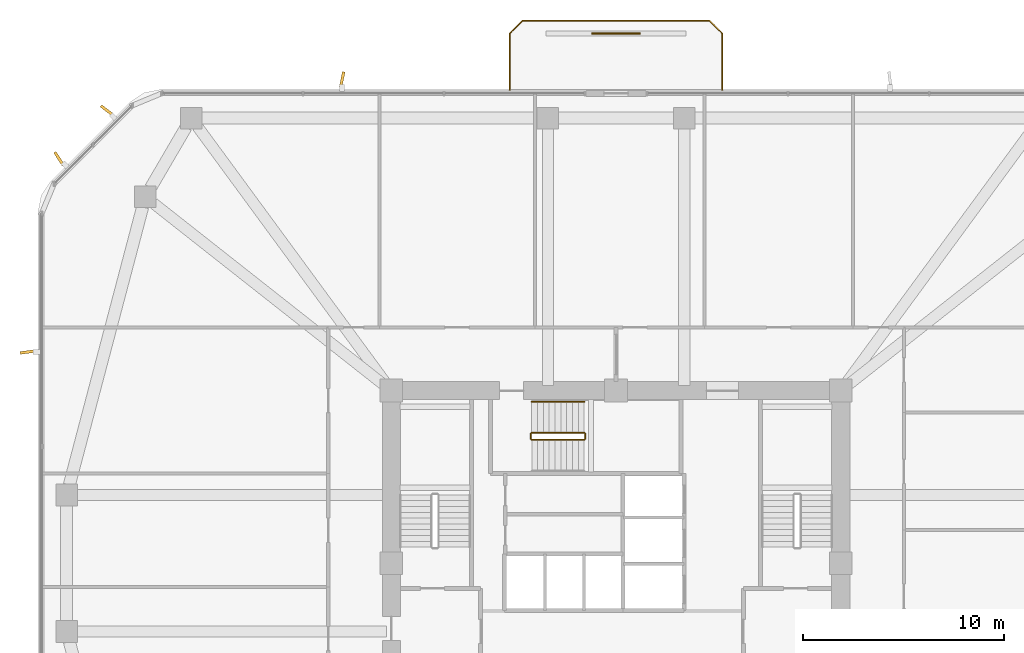
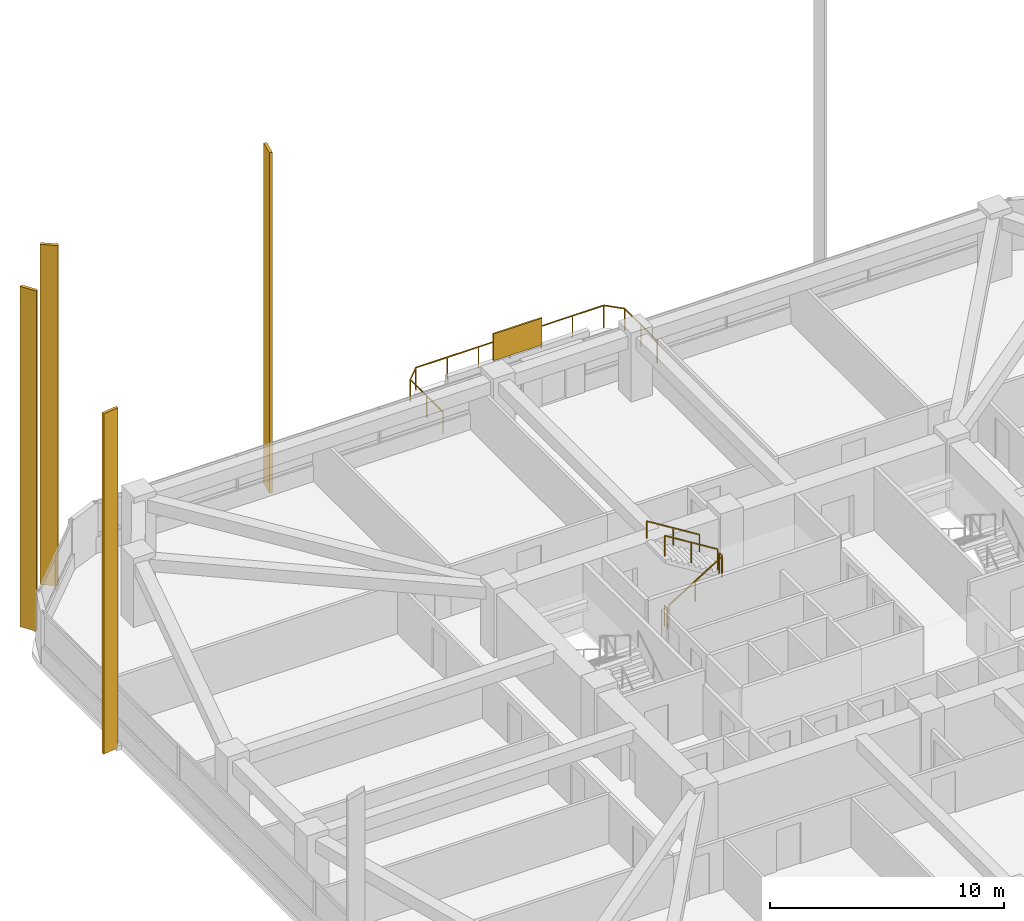
# One storey, part 16 of 17: 6 railings, 5 shading devices.
"""IFC4 building model written with IfcOpenShell, lengths in metres."""

from ifc_helpers import new_model, si_unit, derived_unit, direction, frame, origin, origin_2d, place, context, subcontext, project, spatial, rectangle, extrude, material, layer, layer_set, type_object, element, save


model = new_model("IFC4")

# Units and contexts
model_context = context("Model", 3, precision=1e-05, world=origin(), true_north=direction((0.0, 1.0)))
body_context = subcontext(model_context, "Body", "Model", "MODEL_VIEW")
ifc_project = project(units=[si_unit("LENGTHUNIT", "METRE"), si_unit("AREAUNIT", "SQUARE_METRE"), si_unit("VOLUMEUNIT", "CUBIC_METRE"), si_unit("PLANEANGLEUNIT", "RADIAN"), si_unit("MASSUNIT", "GRAM", prefix="KILO"), derived_unit("THERMALTRANSMITTANCEUNIT", [(si_unit("POWERUNIT", "WATT"), 1), (si_unit("LENGTHUNIT", "METRE"), -2), (si_unit("THERMODYNAMICTEMPERATUREUNIT", "KELVIN"), -1)])], contexts=[model_context])

# Site, building, storey
site_placement = place(None, origin())
site = spatial("IfcSite", under=ifc_project, at=site_placement, CompositionType="ELEMENT")
building_placement = place(site_placement, origin())
building = spatial("IfcBuilding", under=site, at=building_placement, Name="Koralith Skygarden Medical Center", CompositionType="ELEMENT")
storey_placement = place(building_placement, frame((0.0, 0.0, 67.139892578125)))
storey = spatial("IfcBuildingStorey", under=building, at=storey_placement, Name="L17", CompositionType="ELEMENT", Elevation=67.139892578125)

# Shading devices
ifc_material_1 = material(Name="Aluminium 6063-T6", Category="aluminium")
shading_device_type_1 = type_object("IfcShadingDeviceType", Name="Limestone-Clad Solar Storm Fin 780", PredefinedType="USERDEFINED", material=ifc_material_1)
for number, where, z_axis, x_axis, name in (
    (1, (23.35009765625, 50.010009765625, -0.199951171875), (0.0, 0.0, 1.0), (0.202240362568, 0.979335915684, 0.0), "L17 N Harmonic Solar Storm Fin 2"),
    (2, (11.637939453125, 48.4599609375, -0.199951171875), (0.0, 0.0, 1.0), (-0.795758957826, 0.605613474948, 0.0), "L17 NW Harmonic Solar Storm Fin 1"),
    (3, (9.239990234375, 46.06201171875, -0.199951171875), (0.0, 0.0, 1.0), (-0.549489535238, 0.835500598841, 0.0), "L17 NW Harmonic Solar Storm Fin 2"),
    (4, (7.68994140625, 36.429931640625, -0.199951171875), (0.0, 0.0, 1.0), (-0.990919950183, -0.134453160355, 0.0), "L17 W Harmonic Solar Storm Fin 1"),
):
    element("IfcShadingDevice", number, at=place(storey_placement, frame(where, z_axis=z_axis, x_axis=x_axis)), inside=storey, type_object=shading_device_type_1, Name=name, ObjectType="SOLAR FIN", PredefinedType="USERDEFINED", context=body_context, shape_type="SweptSolid", body=[
        extrude(rectangle(XDim=0.780029296875, YDim=0.139892578125, at=origin_2d()), origin(), (0.0, 0.0, 1.0), 17.7900390625),
    ])

# Railing
ifc_material_2 = material(Name="Steel ASTM A500 Grade C", Category="steel")
railing_type_1 = type_object("IfcRailingType", Name="Outdoor Terrace & Balcony Safety Guardrail 1180", PredefinedType="GUARDRAIL", material=ifc_material_2)
railing_1_placement = place(storey_placement, frame((42.300048828125, 49.5, 0.0)))
element("IfcRailing", 5, at=railing_1_placement, inside=storey, type_object=railing_type_1, Name="L17 N Balcony Perimeter Guardrail", PredefinedType="GUARDRAIL", context=body_context, shape_type="SweptSolid", body=[
    extrude(rectangle(XDim=0.050048828125, YDim=0.050048828125, at=origin_2d()), frame((0.0, 0.001953125, 1.15478515625), z_axis=(0.0, 1.0, 0.0), x_axis=(-1.0, 0.0, 0.0)), (0.0, 0.0, 1.0), 2.796142578125),
    extrude(rectangle(XDim=0.050048828125, YDim=0.050048828125, at=origin_2d()), frame((-0.00146484375, 2.801513671875, 1.15478515625), z_axis=(-0.707239558722, 0.706973978714, 0.0), x_axis=(-0.706973978714, -0.707239558722, 0.0)), (0.0, 0.0, 1.0), 0.915283203125),
    extrude(rectangle(XDim=0.050048828125, YDim=0.050048828125, at=origin_2d()), frame((-0.652099609375, 3.449951171875, 1.15478515625), z_axis=(-1.0, 0.0, 0.0), x_axis=(0.0, -1.0, 0.0)), (0.0, 0.0, 1.0), 9.2958984375),
    extrude(rectangle(XDim=0.050048828125, YDim=0.050048828125, at=origin_2d()), frame((-9.951416015625, 3.448486328125, 1.15478515625), z_axis=(-0.707239558722, -0.706973978714, 0.0), x_axis=(0.706973978714, -0.707239558722, 0.0)), (0.0, 0.0, 1.0), 0.915283203125),
    extrude(rectangle(XDim=0.050048828125, YDim=0.050048828125, at=origin_2d()), frame((-10.60009765625, 2.798095703125, 1.15478515625), z_axis=(0.0, -1.0, 0.0), x_axis=(1.0, 0.0, 0.0)), (0.0, 0.0, 1.0), 2.796142578125),
    extrude(rectangle(XDim=0.0419921875, YDim=0.0419921875, at=origin_2d()), origin(), (0.0, 0.0, 1.0), 1.1279296875),
    extrude(rectangle(XDim=0.0419921875, YDim=0.0419921875, at=origin_2d()), frame((0.0, 1.39990234375, 0.0)), (0.0, 0.0, 1.0), 1.1279296875),
    extrude(rectangle(XDim=0.0419921875, YDim=0.0419921875, at=origin_2d()), frame((0.0, 2.800048828125, 0.0)), (0.0, 0.0, 1.0), 1.1279296875),
    extrude(rectangle(XDim=0.0419921875, YDim=0.0419921875, at=origin_2d()), frame((-0.650146484375, 3.449951171875, 0.0)), (0.0, 0.0, 1.0), 1.1279296875),
    extrude(rectangle(XDim=0.0419921875, YDim=0.0419921875, at=origin_2d()), frame((-2.2001953125, 3.449951171875, 0.0)), (0.0, 0.0, 1.0), 1.1279296875),
    extrude(rectangle(XDim=0.0419921875, YDim=0.0419921875, at=origin_2d()), frame((-3.75, 3.449951171875, 0.0)), (0.0, 0.0, 1.0), 1.1279296875),
    extrude(rectangle(XDim=0.0419921875, YDim=0.0419921875, at=origin_2d()), frame((-5.300048828125, 3.449951171875, 0.0)), (0.0, 0.0, 1.0), 1.1279296875),
    extrude(rectangle(XDim=0.0419921875, YDim=0.0419921875, at=origin_2d()), frame((-6.85009765625, 3.449951171875, 0.0)), (0.0, 0.0, 1.0), 1.1279296875),
    extrude(rectangle(XDim=0.0419921875, YDim=0.0419921875, at=origin_2d()), frame((-8.39990234375, 3.449951171875, 0.0)), (0.0, 0.0, 1.0), 1.1279296875),
    extrude(rectangle(XDim=0.0419921875, YDim=0.0419921875, at=origin_2d()), frame((-9.949951171875, 3.449951171875, 0.0)), (0.0, 0.0, 1.0), 1.1279296875),
    extrude(rectangle(XDim=0.0419921875, YDim=0.0419921875, at=origin_2d()), frame((-10.60009765625, 2.800048828125, 0.0)), (0.0, 0.0, 1.0), 1.1279296875),
    extrude(rectangle(XDim=0.0419921875, YDim=0.0419921875, at=origin_2d()), frame((-10.60009765625, 1.39990234375, 0.0)), (0.0, 0.0, 1.0), 1.1279296875),
    extrude(rectangle(XDim=0.0419921875, YDim=0.0419921875, at=origin_2d()), frame((-10.60009765625, 0.0, 0.0)), (0.0, 0.0, 1.0), 1.1279296875),
])

# Shading device
ifc_layer = layer(ifc_material_1, 0.080078125)
ifc_layer_set = layer_set([ifc_layer], Name="Aluminium 6063-T6")
shading_device_type_2 = type_object("IfcShadingDeviceType", Name="Perforated Biophilic Balcony Trellis Screen", PredefinedType="USERDEFINED", material=ifc_layer_set)
shading_device_placement = place(storey_placement, frame((37.0, 52.300048828125, 0.72021484375), z_axis=(0.0, 0.0, 1.0), x_axis=(1.0, 0.0, 0.0)))
element("IfcShadingDevice", 6, at=shading_device_placement, inside=storey, type_object=shading_device_type_2, Name="L17 N Biophilic Balcony Trellis Screen", ObjectType="HURRICANE SCREEN", PredefinedType="USERDEFINED", context=body_context, shape_type="SweptSolid", body=[
    extrude(rectangle(XDim=2.39990234375, YDim=0.080078125, at=origin_2d()), origin(), (0.0, 0.0, 1.0), 1.39990234375),
])

# Railings
railing_type_2 = type_object("IfcRailingType", Name="Stair Flight Tubular Handrail 920", PredefinedType="HANDRAIL", material=ifc_material_2)
railing_2_placement = place(storey_placement, frame((35.409912109375, 33.949951171875, 1.980224609375)))
element("IfcRailing", 7, at=railing_2_placement, inside=storey, type_object=railing_type_2, Name="L17 ST3 stair handrail 2", PredefinedType="HANDRAIL", context=body_context, shape_type="SweptSolid", body=[
    extrude(rectangle(XDim=0.050048828125, YDim=0.050048828125, at=origin_2d()), frame((-0.001708984375, 0.0, 0.89599609375), z_axis=(-0.849646306263, 0.0, 0.527352969322), x_axis=(0.0, -1.0, 0.0)), (0.0, 0.0, 1.0), 3.067626953125),
    extrude(rectangle(XDim=0.0419921875, YDim=0.0419921875, at=origin_2d()), origin(), (0.0, 0.0, 1.0), 0.867919921875),
    extrude(rectangle(XDim=0.0419921875, YDim=0.0419921875, at=origin_2d()), frame((-1.304931640625, 0.0, 0.81005859375)), (0.0, 0.0, 1.0), 0.867919921875),
    extrude(rectangle(XDim=0.0419921875, YDim=0.0419921875, at=origin_2d()), frame((-2.60986328125, 0.0, 1.619873046875)), (0.0, 0.0, 1.0), 0.867919921875),
])
railing_type_3 = type_object("IfcRailingType", Name="Stair Well Safety Guardrail 1100", PredefinedType="GUARDRAIL", material=ifc_material_2)
railing_3_placement = place(storey_placement, frame((32.800048828125, 32.050048828125, 0.18017578125)))
element("IfcRailing", 8, at=railing_3_placement, inside=storey, type_object=railing_type_3, Name="L17 ST3 stair guard 1", PredefinedType="GUARDRAIL", context=body_context, shape_type="SweptSolid", body=[
    extrude(rectangle(XDim=0.050048828125, YDim=0.050048828125, at=origin_2d()), frame((0.001708984375, 0.0, 1.076171875), z_axis=(0.849646306263, 0.0, 0.527352969322), x_axis=(0.0, 1.0, 0.0)), (0.0, 0.0, 1.0), 3.067626953125),
    extrude(rectangle(XDim=0.0419921875, YDim=0.0419921875, at=origin_2d()), origin(), (0.0, 0.0, 1.0), 1.048095703125),
    extrude(rectangle(XDim=0.0419921875, YDim=0.0419921875, at=origin_2d()), frame((1.304931640625, 0.0, 0.81005859375)), (0.0, 0.0, 1.0), 1.048095703125),
    extrude(rectangle(XDim=0.0419921875, YDim=0.0419921875, at=origin_2d()), frame((2.60986328125, 0.0, 1.619873046875)), (0.0, 0.0, 1.0), 1.048095703125),
])
railing_4_placement = place(storey_placement, frame((35.4599609375, 32.10009765625, 1.800048828125)))
element("IfcRailing", 9, at=railing_4_placement, inside=storey, type_object=railing_type_3, Name="L17 ST3 stair guard 2", PredefinedType="GUARDRAIL", context=body_context, shape_type="SweptSolid", body=[
    extrude(rectangle(XDim=0.050048828125, YDim=0.050048828125, at=origin_2d()), frame((0.0, 0.001953125, 1.0751953125), z_axis=(0.0, 1.0, 0.0), x_axis=(-1.0, 0.0, 0.0)), (0.0, 0.0, 1.0), 0.24609375),
    extrude(rectangle(XDim=0.0419921875, YDim=0.0419921875, at=origin_2d()), origin(), (0.0, 0.0, 1.0), 1.048095703125),
    extrude(rectangle(XDim=0.0419921875, YDim=0.0419921875, at=origin_2d()), frame((0.0, 0.25, 0.0)), (0.0, 0.0, 1.0), 1.048095703125),
])
railing_5_placement = place(storey_placement, frame((35.409912109375, 32.39990234375, 1.980224609375)))
element("IfcRailing", 10, at=railing_5_placement, inside=storey, type_object=railing_type_3, Name="L17 ST3 stair guard 3", PredefinedType="GUARDRAIL", context=body_context, shape_type="SweptSolid", body=[
    extrude(rectangle(XDim=0.050048828125, YDim=0.050048828125, at=origin_2d()), frame((-0.001708984375, 0.0, 1.076171875), z_axis=(-0.849646306263, 0.0, 0.527352969322), x_axis=(0.0, -1.0, 0.0)), (0.0, 0.0, 1.0), 3.067626953125),
    extrude(rectangle(XDim=0.0419921875, YDim=0.0419921875, at=origin_2d()), origin(), (0.0, 0.0, 1.0), 1.048095703125),
    extrude(rectangle(XDim=0.0419921875, YDim=0.0419921875, at=origin_2d()), frame((-1.304931640625, 0.0, 0.81005859375)), (0.0, 0.0, 1.0), 1.048095703125),
    extrude(rectangle(XDim=0.0419921875, YDim=0.0419921875, at=origin_2d()), frame((-2.60986328125, 0.0, 1.619873046875)), (0.0, 0.0, 1.0), 1.048095703125),
])
railing_6_placement = place(storey_placement, frame((32.75, 32.10009765625, 0.0)))
element("IfcRailing", 11, at=railing_6_placement, inside=storey, type_object=railing_type_3, Name="L17 ST3 stair guard 4", PredefinedType="GUARDRAIL", context=body_context, shape_type="SweptSolid", body=[
    extrude(rectangle(XDim=0.050048828125, YDim=0.050048828125, at=origin_2d()), frame((0.0, 0.001953125, 1.0751953125), z_axis=(0.0, 1.0, 0.0), x_axis=(-1.0, 0.0, 0.0)), (0.0, 0.0, 1.0), 0.24609375),
    extrude(rectangle(XDim=0.0419921875, YDim=0.0419921875, at=origin_2d()), origin(), (0.0, 0.0, 1.0), 1.048095703125),
    extrude(rectangle(XDim=0.0419921875, YDim=0.0419921875, at=origin_2d()), frame((0.0, 0.25, 0.0)), (0.0, 0.0, 1.0), 1.048095703125),
])

save(model, "model.ifc")
